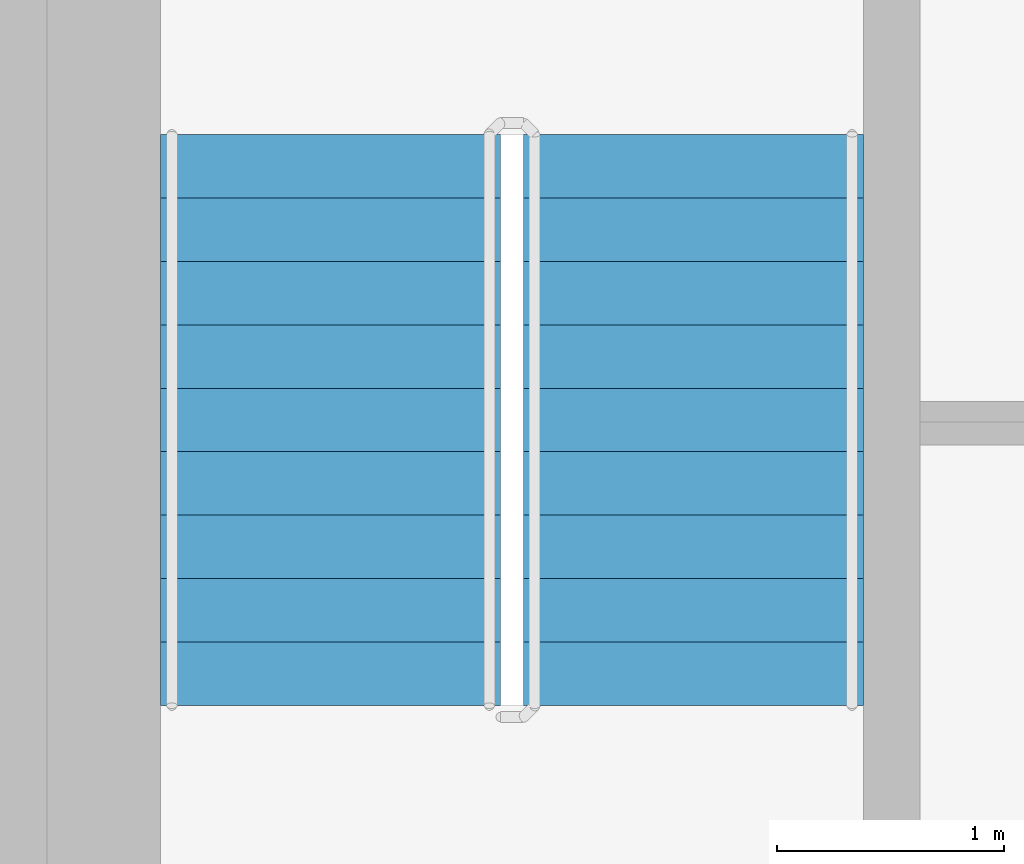
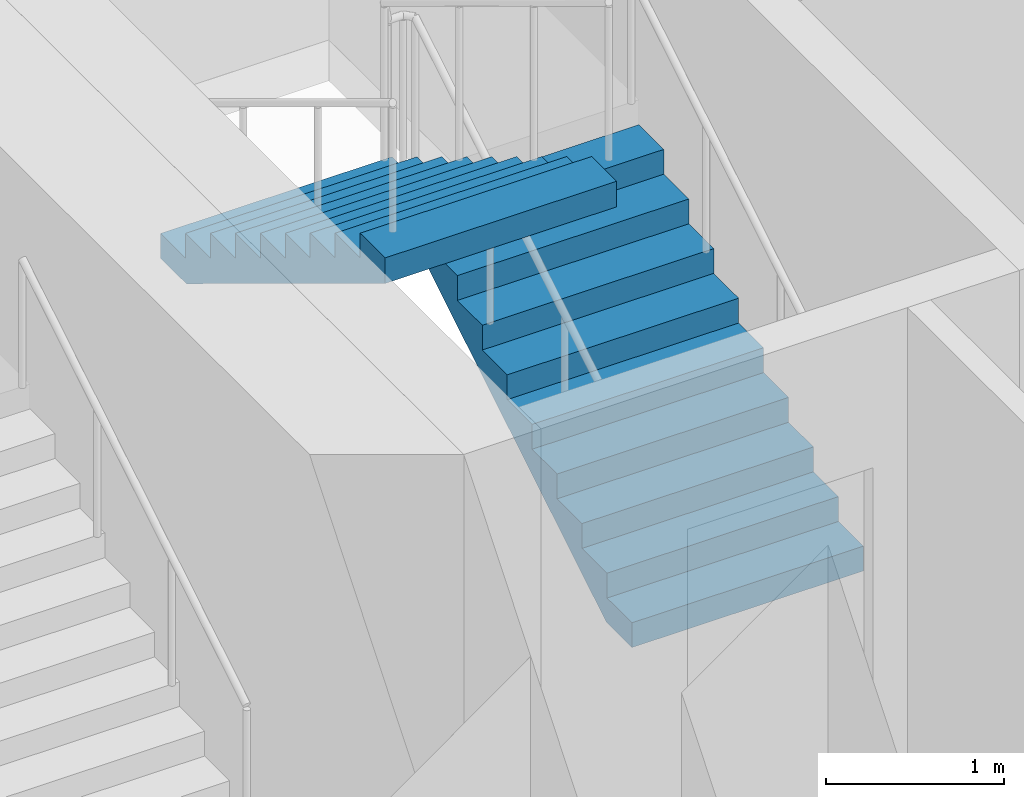
# One storey, part 12 of 19: 2 stair flights, 1 element without a shape of its own.
"""IFC4 building model written with IfcOpenShell, lengths in metres."""

from ifc_helpers import new_model, si_unit, direction, frame, origin, place, context, subcontext, project, spatial, triangles, source, transform, mapped, material, type_object, element, aggregate, save


model = new_model("IFC4")

# Units and contexts
model_context = context("Model", 3, precision=1e-05, world=origin(), true_north=direction((0.0, 1.0)))
body_context = subcontext(model_context, "Body", "Model", "MODEL_VIEW")
ifc_project = project(units=[si_unit("LENGTHUNIT", "METRE"), si_unit("AREAUNIT", "SQUARE_METRE"), si_unit("VOLUMEUNIT", "CUBIC_METRE"), si_unit("PLANEANGLEUNIT", "RADIAN"), si_unit("MASSUNIT", "GRAM", prefix="KILO")], contexts=[model_context])

# Site, building, storey
site_placement = place(None, origin())
site = spatial("IfcSite", under=ifc_project, at=site_placement, CompositionType="ELEMENT")
building_placement = place(site_placement, origin())
building = spatial("IfcBuilding", under=site, at=building_placement, Name="Kilnfold Tower and Market Hall", CompositionType="ELEMENT")
storey_placement = place(building_placement, frame((0.0, 0.0, 252.60009765625)))
storey = spatial("IfcBuildingStorey", under=building, at=storey_placement, Name="L61", CompositionType="ELEMENT", Elevation=252.60009765625)

# Stair, stair flights
ifc_material_1 = material(Name="Concrete C40/50", Category="concrete")
stair_type = type_object("IfcStairType", Name="CORE STAIR 1500", PredefinedType="HALF_TURN_STAIR", material=ifc_material_1)
stair_placement = place(storey_placement, origin())
stair = element("IfcStair", 1, at=stair_placement, inside=storey, type_object=stair_type, Name="L61 ST5", PredefinedType="HALF_TURN_STAIR")
ifc_material_2 = material(Name="Concrete C40/50", Category="concrete")
stair_flight_type = type_object("IfcStairFlightType", Name="CORE STAIR FLIGHT 1500", PredefinedType="STRAIGHT", material=ifc_material_2)
shared_shape = source(origin(), body_context, "Body", "Tessellation", [
    triangles([(0.0, 0.75, 0.0), (0.0, 0.65625, 0.0), (0.0, 0.5625, 0.0), (0.0, 0.46875, 0.0), (0.0, 0.375, 0.0), (0.0, 0.28125, 0.0), (0.0, 0.1875, 0.0), (0.0, 0.09375, 0.0), (0.0, 0.0, 0.0), (0.0, -0.09375, 0.0), (0.0, -0.1875, 0.0), (0.0, -0.28125, 0.0), (0.0, -0.375, 0.0), (0.0, -0.46875, 0.0), (0.0, -0.5625, 0.0), (0.0, -0.65625, 0.0), (0.0, -0.75, 0.0), (0.0, 0.75, 0.169921875), (0.0, 0.65625, 0.169921875), (0.0, 0.5625, 0.169921875), (0.0, 0.46875, 0.169921875), (0.0, 0.375, 0.169921875), (0.0, 0.28125, 0.169921875), (0.0, 0.1875, 0.169921875), (0.0, 0.09375, 0.169921875), (0.0, 0.0, 0.169921875), (0.0, -0.09375, 0.169921875), (0.0, -0.1875, 0.169921875), (0.0, -0.28125, 0.169921875), (0.0, -0.375, 0.169921875), (0.0, -0.46875, 0.169921875), (0.0, -0.5625, 0.169921875), (0.0, -0.65625, 0.169921875), (0.0, -0.75, 0.169921875), (0.280029296875, 0.75, 0.169921875), (0.280029296875, 0.65625, 0.169921875), (0.280029296875, 0.5625, 0.169921875), (0.280029296875, 0.46875, 0.169921875), (0.280029296875, 0.375, 0.169921875), (0.280029296875, 0.28125, 0.169921875), (0.280029296875, 0.1875, 0.169921875), (0.280029296875, 0.09375, 0.169921875), (0.280029296875, 0.0, 0.169921875), (0.280029296875, -0.09375, 0.169921875), (0.280029296875, -0.1875, 0.169921875), (0.280029296875, -0.28125, 0.169921875), (0.280029296875, -0.375, 0.169921875), (0.280029296875, -0.46875, 0.169921875), (0.280029296875, -0.5625, 0.169921875), (0.280029296875, -0.65625, 0.169921875), (0.280029296875, -0.75, 0.169921875), (0.280029296875, 0.75, 0.340087890625), (0.280029296875, 0.65625, 0.340087890625), (0.280029296875, 0.5625, 0.340087890625), (0.280029296875, 0.46875, 0.340087890625), (0.280029296875, 0.375, 0.340087890625), (0.280029296875, 0.28125, 0.340087890625), (0.280029296875, 0.1875, 0.340087890625), (0.280029296875, 0.09375, 0.340087890625), (0.280029296875, 0.0, 0.340087890625), (0.280029296875, -0.09375, 0.340087890625), (0.280029296875, -0.1875, 0.340087890625), (0.280029296875, -0.28125, 0.340087890625), (0.280029296875, -0.375, 0.340087890625), (0.280029296875, -0.46875, 0.340087890625), (0.280029296875, -0.5625, 0.340087890625), (0.280029296875, -0.65625, 0.340087890625), (0.280029296875, -0.75, 0.340087890625), (0.56005859375, 0.75, 0.340087890625), (0.56005859375, 0.65625, 0.340087890625), (0.56005859375, 0.5625, 0.340087890625), (0.56005859375, 0.46875, 0.340087890625), (0.56005859375, 0.375, 0.340087890625), (0.56005859375, 0.28125, 0.340087890625), (0.56005859375, 0.1875, 0.340087890625), (0.56005859375, 0.09375, 0.340087890625), (0.56005859375, 0.0, 0.340087890625), (0.56005859375, -0.09375, 0.340087890625), (0.56005859375, -0.1875, 0.340087890625), (0.56005859375, -0.28125, 0.340087890625), (0.56005859375, -0.375, 0.340087890625), (0.56005859375, -0.46875, 0.340087890625), (0.56005859375, -0.5625, 0.340087890625), (0.56005859375, -0.65625, 0.340087890625), (0.56005859375, -0.75, 0.340087890625), (0.56005859375, 0.75, 0.510009765625), (0.56005859375, 0.65625, 0.510009765625), (0.56005859375, 0.5625, 0.510009765625), (0.56005859375, 0.46875, 0.510009765625), (0.56005859375, 0.375, 0.510009765625), (0.56005859375, 0.28125, 0.510009765625), (0.56005859375, 0.1875, 0.510009765625), (0.56005859375, 0.09375, 0.510009765625), (0.56005859375, 0.0, 0.510009765625), (0.56005859375, -0.09375, 0.510009765625), (0.56005859375, -0.1875, 0.510009765625), (0.56005859375, -0.28125, 0.510009765625), (0.56005859375, -0.375, 0.510009765625), (0.56005859375, -0.46875, 0.510009765625), (0.56005859375, -0.5625, 0.510009765625), (0.56005859375, -0.65625, 0.510009765625), (0.56005859375, -0.75, 0.510009765625), (0.840087890625, 0.75, 0.510009765625), (0.840087890625, 0.65625, 0.510009765625), (0.840087890625, 0.5625, 0.510009765625), (0.840087890625, 0.46875, 0.510009765625), (0.840087890625, 0.375, 0.510009765625), (0.840087890625, 0.28125, 0.510009765625), (0.840087890625, 0.1875, 0.510009765625), (0.840087890625, 0.09375, 0.510009765625), (0.840087890625, 0.0, 0.510009765625), (0.840087890625, -0.09375, 0.510009765625), (0.840087890625, -0.1875, 0.510009765625), (0.840087890625, -0.28125, 0.510009765625), (0.840087890625, -0.375, 0.510009765625), (0.840087890625, -0.46875, 0.510009765625), (0.840087890625, -0.5625, 0.510009765625), (0.840087890625, -0.65625, 0.510009765625), (0.840087890625, -0.75, 0.510009765625), (0.840087890625, 0.75, 0.679931640625), (0.840087890625, 0.65625, 0.679931640625), (0.840087890625, 0.5625, 0.679931640625), (0.840087890625, 0.46875, 0.679931640625), (0.840087890625, 0.375, 0.679931640625), (0.840087890625, 0.28125, 0.679931640625), (0.840087890625, 0.1875, 0.679931640625), (0.840087890625, 0.09375, 0.679931640625), (0.840087890625, 0.0, 0.679931640625), (0.840087890625, -0.09375, 0.679931640625), (0.840087890625, -0.1875, 0.679931640625), (0.840087890625, -0.28125, 0.679931640625), (0.840087890625, -0.375, 0.679931640625), (0.840087890625, -0.46875, 0.679931640625), (0.840087890625, -0.5625, 0.679931640625), (0.840087890625, -0.65625, 0.679931640625), (0.840087890625, -0.75, 0.679931640625), (1.1201171875, 0.75, 0.679931640625), (1.1201171875, 0.65625, 0.679931640625), (1.1201171875, 0.5625, 0.679931640625), (1.1201171875, 0.46875, 0.679931640625), (1.1201171875, 0.375, 0.679931640625), (1.1201171875, 0.28125, 0.679931640625), (1.1201171875, 0.1875, 0.679931640625), (1.1201171875, 0.09375, 0.679931640625), (1.1201171875, 0.0, 0.679931640625), (1.1201171875, -0.09375, 0.679931640625), (1.1201171875, -0.1875, 0.679931640625), (1.1201171875, -0.28125, 0.679931640625), (1.1201171875, -0.375, 0.679931640625), (1.1201171875, -0.46875, 0.679931640625), (1.1201171875, -0.5625, 0.679931640625), (1.1201171875, -0.65625, 0.679931640625), (1.1201171875, -0.75, 0.679931640625), (1.1201171875, 0.75, 0.85009765625), (1.1201171875, 0.65625, 0.85009765625), (1.1201171875, 0.5625, 0.85009765625), (1.1201171875, 0.46875, 0.85009765625), (1.1201171875, 0.375, 0.85009765625), (1.1201171875, 0.28125, 0.85009765625), (1.1201171875, 0.1875, 0.85009765625), (1.1201171875, 0.09375, 0.85009765625), (1.1201171875, 0.0, 0.85009765625), (1.1201171875, -0.09375, 0.85009765625), (1.1201171875, -0.1875, 0.85009765625), (1.1201171875, -0.28125, 0.85009765625), (1.1201171875, -0.375, 0.85009765625), (1.1201171875, -0.46875, 0.85009765625), (1.1201171875, -0.5625, 0.85009765625), (1.1201171875, -0.65625, 0.85009765625), (1.1201171875, -0.75, 0.85009765625), (1.39990234375, 0.75, 0.85009765625), (1.39990234375, 0.65625, 0.85009765625), (1.39990234375, 0.5625, 0.85009765625), (1.39990234375, 0.46875, 0.85009765625), (1.39990234375, 0.375, 0.85009765625), (1.39990234375, 0.28125, 0.85009765625), (1.39990234375, 0.1875, 0.85009765625), (1.39990234375, 0.09375, 0.85009765625), (1.39990234375, 0.0, 0.85009765625), (1.39990234375, -0.09375, 0.85009765625), (1.39990234375, -0.1875, 0.85009765625), (1.39990234375, -0.28125, 0.85009765625), (1.39990234375, -0.375, 0.85009765625), (1.39990234375, -0.46875, 0.85009765625), (1.39990234375, -0.5625, 0.85009765625), (1.39990234375, -0.65625, 0.85009765625), (1.39990234375, -0.75, 0.85009765625), (1.39990234375, 0.75, 1.02001953125), (1.39990234375, 0.65625, 1.02001953125), (1.39990234375, 0.5625, 1.02001953125), (1.39990234375, 0.46875, 1.02001953125), (1.39990234375, 0.375, 1.02001953125), (1.39990234375, 0.28125, 1.02001953125), (1.39990234375, 0.1875, 1.02001953125), (1.39990234375, 0.09375, 1.02001953125), (1.39990234375, 0.0, 1.02001953125), (1.39990234375, -0.09375, 1.02001953125), (1.39990234375, -0.1875, 1.02001953125), (1.39990234375, -0.28125, 1.02001953125), (1.39990234375, -0.375, 1.02001953125), (1.39990234375, -0.46875, 1.02001953125), (1.39990234375, -0.5625, 1.02001953125), (1.39990234375, -0.65625, 1.02001953125), (1.39990234375, -0.75, 1.02001953125), (1.679931640625, 0.75, 1.02001953125), (1.679931640625, 0.65625, 1.02001953125), (1.679931640625, 0.5625, 1.02001953125), (1.679931640625, 0.46875, 1.02001953125), (1.679931640625, 0.375, 1.02001953125), (1.679931640625, 0.28125, 1.02001953125), (1.679931640625, 0.1875, 1.02001953125), (1.679931640625, 0.09375, 1.02001953125), (1.679931640625, 0.0, 1.02001953125), (1.679931640625, -0.09375, 1.02001953125), (1.679931640625, -0.1875, 1.02001953125), (1.679931640625, -0.28125, 1.02001953125), (1.679931640625, -0.375, 1.02001953125), (1.679931640625, -0.46875, 1.02001953125), (1.679931640625, -0.5625, 1.02001953125), (1.679931640625, -0.65625, 1.02001953125), (1.679931640625, -0.75, 1.02001953125), (1.679931640625, 0.75, 1.18994140625), (1.679931640625, 0.65625, 1.18994140625), (1.679931640625, 0.5625, 1.18994140625), (1.679931640625, 0.46875, 1.18994140625), (1.679931640625, 0.375, 1.18994140625), (1.679931640625, 0.28125, 1.18994140625), (1.679931640625, 0.1875, 1.18994140625), (1.679931640625, 0.09375, 1.18994140625), (1.679931640625, 0.0, 1.18994140625), (1.679931640625, -0.09375, 1.18994140625), (1.679931640625, -0.1875, 1.18994140625), (1.679931640625, -0.28125, 1.18994140625), (1.679931640625, -0.375, 1.18994140625), (1.679931640625, -0.46875, 1.18994140625), (1.679931640625, -0.5625, 1.18994140625), (1.679931640625, -0.65625, 1.18994140625), (1.679931640625, -0.75, 1.18994140625), (1.9599609375, 0.75, 1.18994140625), (1.9599609375, 0.65625, 1.18994140625), (1.9599609375, 0.5625, 1.18994140625), (1.9599609375, 0.46875, 1.18994140625), (1.9599609375, 0.375, 1.18994140625), (1.9599609375, 0.28125, 1.18994140625), (1.9599609375, 0.1875, 1.18994140625), (1.9599609375, 0.09375, 1.18994140625), (1.9599609375, 0.0, 1.18994140625), (1.9599609375, -0.09375, 1.18994140625), (1.9599609375, -0.1875, 1.18994140625), (1.9599609375, -0.28125, 1.18994140625), (1.9599609375, -0.375, 1.18994140625), (1.9599609375, -0.46875, 1.18994140625), (1.9599609375, -0.5625, 1.18994140625), (1.9599609375, -0.65625, 1.18994140625), (1.9599609375, -0.75, 1.18994140625), (1.9599609375, 0.75, 1.360107421875), (1.9599609375, 0.65625, 1.360107421875), (1.9599609375, 0.5625, 1.360107421875), (1.9599609375, 0.46875, 1.360107421875), (1.9599609375, 0.375, 1.360107421875), (1.9599609375, 0.28125, 1.360107421875), (1.9599609375, 0.1875, 1.360107421875), (1.9599609375, 0.09375, 1.360107421875), (1.9599609375, 0.0, 1.360107421875), (1.9599609375, -0.09375, 1.360107421875), (1.9599609375, -0.1875, 1.360107421875), (1.9599609375, -0.28125, 1.360107421875), (1.9599609375, -0.375, 1.360107421875), (1.9599609375, -0.46875, 1.360107421875), (1.9599609375, -0.5625, 1.360107421875), (1.9599609375, -0.65625, 1.360107421875), (1.9599609375, -0.75, 1.360107421875), (2.239990234375, 0.75, 1.360107421875), (2.239990234375, 0.65625, 1.360107421875), (2.239990234375, 0.5625, 1.360107421875), (2.239990234375, 0.46875, 1.360107421875), (2.239990234375, 0.375, 1.360107421875), (2.239990234375, 0.28125, 1.360107421875), (2.239990234375, 0.1875, 1.360107421875), (2.239990234375, 0.09375, 1.360107421875), (2.239990234375, 0.0, 1.360107421875), (2.239990234375, -0.09375, 1.360107421875), (2.239990234375, -0.1875, 1.360107421875), (2.239990234375, -0.28125, 1.360107421875), (2.239990234375, -0.375, 1.360107421875), (2.239990234375, -0.46875, 1.360107421875), (2.239990234375, -0.5625, 1.360107421875), (2.239990234375, -0.65625, 1.360107421875), (2.239990234375, -0.75, 1.360107421875), (2.239990234375, 0.75, 1.530029296875), (2.239990234375, 0.65625, 1.530029296875), (2.239990234375, 0.5625, 1.530029296875), (2.239990234375, 0.46875, 1.530029296875), (2.239990234375, 0.375, 1.530029296875), (2.239990234375, 0.28125, 1.530029296875), (2.239990234375, 0.1875, 1.530029296875), (2.239990234375, 0.09375, 1.530029296875), (2.239990234375, 0.0, 1.530029296875), (2.239990234375, -0.09375, 1.530029296875), (2.239990234375, -0.1875, 1.530029296875), (2.239990234375, -0.28125, 1.530029296875), (2.239990234375, -0.375, 1.530029296875), (2.239990234375, -0.46875, 1.530029296875), (2.239990234375, -0.5625, 1.530029296875), (2.239990234375, -0.65625, 1.530029296875), (2.239990234375, -0.75, 1.530029296875), (2.52001953125, 0.75, 1.530029296875), (2.52001953125, 0.65625, 1.530029296875), (2.52001953125, 0.5625, 1.530029296875), (2.52001953125, 0.46875, 1.530029296875), (2.52001953125, 0.375, 1.530029296875), (2.52001953125, 0.28125, 1.530029296875), (2.52001953125, 0.1875, 1.530029296875), (2.52001953125, 0.09375, 1.530029296875), (2.52001953125, 0.0, 1.530029296875), (2.52001953125, -0.09375, 1.530029296875), (2.52001953125, -0.1875, 1.530029296875), (2.52001953125, -0.28125, 1.530029296875), (2.52001953125, -0.375, 1.530029296875), (2.52001953125, -0.46875, 1.530029296875), (2.52001953125, -0.5625, 1.530029296875), (2.52001953125, -0.65625, 1.530029296875), (2.52001953125, -0.75, 1.530029296875), (2.52001953125, 0.75, 1.354736328125), (2.52001953125, 0.65625, 1.354736328125), (2.52001953125, 0.5625, 1.354736328125), (2.52001953125, 0.46875, 1.354736328125), (2.52001953125, 0.375, 1.354736328125), (2.52001953125, 0.28125, 1.354736328125), (2.52001953125, 0.1875, 1.354736328125), (2.52001953125, 0.09375, 1.354736328125), (2.52001953125, 0.0, 1.354736328125), (2.52001953125, -0.09375, 1.354736328125), (2.52001953125, -0.1875, 1.354736328125), (2.52001953125, -0.28125, 1.354736328125), (2.52001953125, -0.375, 1.354736328125), (2.52001953125, -0.46875, 1.354736328125), (2.52001953125, -0.5625, 1.354736328125), (2.52001953125, -0.65625, 1.354736328125), (2.52001953125, -0.75, 1.354736328125), (0.288818359375, 0.75, 0.0), (0.288818359375, 0.65625, 0.0), (0.288818359375, 0.5625, 0.0), (0.288818359375, 0.46875, 0.0), (0.288818359375, 0.375, 0.0), (0.288818359375, 0.28125, 0.0), (0.288818359375, 0.1875, 0.0), (0.288818359375, 0.09375, 0.0), (0.288818359375, 0.0, 0.0), (0.288818359375, -0.09375, 0.0), (0.288818359375, -0.1875, 0.0), (0.288818359375, -0.28125, 0.0), (0.288818359375, -0.375, 0.0), (0.288818359375, -0.46875, 0.0), (0.288818359375, -0.5625, 0.0), (0.288818359375, -0.65625, 0.0), (0.288818359375, -0.75, 0.0)], [[1, 324, 341], [17, 357, 340], [324, 290, 307], [340, 323, 306], [324, 273, 290], [340, 306, 289], [324, 256, 273], [340, 289, 272], [324, 239, 256], [340, 272, 255], [239, 205, 222], [255, 238, 221], [324, 205, 239], [340, 255, 221], [205, 171, 188], [221, 204, 187], [324, 171, 205], [340, 221, 187], [171, 137, 154], [187, 170, 153], [324, 137, 171], [340, 187, 153], [137, 103, 120], [153, 136, 119], [324, 103, 137], [340, 153, 119], [103, 69, 86], [119, 102, 85], [324, 69, 103], [340, 119, 85], [69, 35, 52], [85, 68, 51], [324, 35, 69], [340, 85, 51], [1, 35, 324], [17, 340, 51], [35, 1, 18], [51, 34, 17], [1, 19, 18], [1, 2, 19], [2, 20, 19], [2, 3, 20], [3, 21, 20], [3, 4, 21], [4, 22, 21], [4, 5, 22], [5, 23, 22], [5, 6, 23], [6, 24, 23], [6, 7, 24], [7, 25, 24], [7, 8, 25], [8, 26, 25], [8, 9, 26], [9, 27, 26], [9, 10, 27], [10, 28, 27], [10, 11, 28], [11, 29, 28], [11, 12, 29], [12, 30, 29], [12, 13, 30], [13, 31, 30], [13, 14, 31], [14, 32, 31], [14, 15, 32], [15, 33, 32], [15, 16, 33], [16, 34, 33], [16, 17, 34], [18, 36, 35], [18, 19, 36], [19, 37, 36], [19, 20, 37], [20, 38, 37], [20, 21, 38], [21, 39, 38], [21, 22, 39], [22, 40, 39], [22, 23, 40], [23, 41, 40], [23, 24, 41], [24, 42, 41], [24, 25, 42], [25, 43, 42], [25, 26, 43], [26, 44, 43], [26, 27, 44], [27, 45, 44], [27, 28, 45], [28, 46, 45], [28, 29, 46], [29, 47, 46], [29, 30, 47], [30, 48, 47], [30, 31, 48], [31, 49, 48], [31, 32, 49], [32, 50, 49], [32, 33, 50], [33, 51, 50], [33, 34, 51], [35, 53, 52], [35, 36, 53], [36, 54, 53], [36, 37, 54], [37, 55, 54], [37, 38, 55], [38, 56, 55], [38, 39, 56], [39, 57, 56], [39, 40, 57], [40, 58, 57], [40, 41, 58], [41, 59, 58], [41, 42, 59], [42, 60, 59], [42, 43, 60], [43, 61, 60], [43, 44, 61], [44, 62, 61], [44, 45, 62], [45, 63, 62], [45, 46, 63], [46, 64, 63], [46, 47, 64], [47, 65, 64], [47, 48, 65], [48, 66, 65], [48, 49, 66], [49, 67, 66], [49, 50, 67], [50, 68, 67], [50, 51, 68], [52, 70, 69], [52, 53, 70], [53, 71, 70], [53, 54, 71], [54, 72, 71], [54, 55, 72], [55, 73, 72], [55, 56, 73], [56, 74, 73], [56, 57, 74], [57, 75, 74], [57, 58, 75], [58, 76, 75], [58, 59, 76], [59, 77, 76], [59, 60, 77], [60, 78, 77], [60, 61, 78], [61, 79, 78], [61, 62, 79], [62, 80, 79], [62, 63, 80], [63, 81, 80], [63, 64, 81], [64, 82, 81], [64, 65, 82], [65, 83, 82], [65, 66, 83], [66, 84, 83], [66, 67, 84], [67, 85, 84], [67, 68, 85], [69, 87, 86], [69, 70, 87], [70, 88, 87], [70, 71, 88], [71, 89, 88], [71, 72, 89], [72, 90, 89], [72, 73, 90], [73, 91, 90], [73, 74, 91], [74, 92, 91], [74, 75, 92], [75, 93, 92], [75, 76, 93], [76, 94, 93], [76, 77, 94], [77, 95, 94], [77, 78, 95], [78, 96, 95], [78, 79, 96], [79, 97, 96], [79, 80, 97], [80, 98, 97], [80, 81, 98], [81, 99, 98], [81, 82, 99], [82, 100, 99], [82, 83, 100], [83, 101, 100], [83, 84, 101], [84, 102, 101], [84, 85, 102], [86, 104, 103], [86, 87, 104], [87, 105, 104], [87, 88, 105], [88, 106, 105], [88, 89, 106], [89, 107, 106], [89, 90, 107], [90, 108, 107], [90, 91, 108], [91, 109, 108], [91, 92, 109], [92, 110, 109], [92, 93, 110], [93, 111, 110], [93, 94, 111], [94, 112, 111], [94, 95, 112], [95, 113, 112], [95, 96, 113], [96, 114, 113], [96, 97, 114], [97, 115, 114], [97, 98, 115], [98, 116, 115], [98, 99, 116], [99, 117, 116], [99, 100, 117], [100, 118, 117], [100, 101, 118], [101, 119, 118], [101, 102, 119], [103, 121, 120], [103, 104, 121], [104, 122, 121], [104, 105, 122], [105, 123, 122], [105, 106, 123], [106, 124, 123], [106, 107, 124], [107, 125, 124], [107, 108, 125], [108, 126, 125], [108, 109, 126], [109, 127, 126], [109, 110, 127], [110, 128, 127], [110, 111, 128], [111, 129, 128], [111, 112, 129], [112, 130, 129], [112, 113, 130], [113, 131, 130], [113, 114, 131], [114, 132, 131], [114, 115, 132], [115, 133, 132], [115, 116, 133], [116, 134, 133], [116, 117, 134], [117, 135, 134], [117, 118, 135], [118, 136, 135], [118, 119, 136], [120, 138, 137], [120, 121, 138], [121, 139, 138], [121, 122, 139], [122, 140, 139], [122, 123, 140], [123, 141, 140], [123, 124, 141], [124, 142, 141], [124, 125, 142], [125, 143, 142], [125, 126, 143], [126, 144, 143], [126, 127, 144], [127, 145, 144], [127, 128, 145], [128, 146, 145], [128, 129, 146], [129, 147, 146], [129, 130, 147], [130, 148, 147], [130, 131, 148], [131, 149, 148], [131, 132, 149], [132, 150, 149], [132, 133, 150], [133, 151, 150], [133, 134, 151], [134, 152, 151], [134, 135, 152], [135, 153, 152], [135, 136, 153], [137, 155, 154], [137, 138, 155], [138, 156, 155], [138, 139, 156], [139, 157, 156], [139, 140, 157], [140, 158, 157], [140, 141, 158], [141, 159, 158], [141, 142, 159], [142, 160, 159], [142, 143, 160], [143, 161, 160], [143, 144, 161], [144, 162, 161], [144, 145, 162], [145, 163, 162], [145, 146, 163], [146, 164, 163], [146, 147, 164], [147, 165, 164], [147, 148, 165], [148, 166, 165], [148, 149, 166], [149, 167, 166], [149, 150, 167], [150, 168, 167], [150, 151, 168], [151, 169, 168], [151, 152, 169], [152, 170, 169], [152, 153, 170], [154, 172, 171], [154, 155, 172], [155, 173, 172], [155, 156, 173], [156, 174, 173], [156, 157, 174], [157, 175, 174], [157, 158, 175], [158, 176, 175], [158, 159, 176], [159, 177, 176], [159, 160, 177], [160, 178, 177], [160, 161, 178], [161, 179, 178], [161, 162, 179], [162, 180, 179], [162, 163, 180], [163, 181, 180], [163, 164, 181], [164, 182, 181], [164, 165, 182], [165, 183, 182], [165, 166, 183], [166, 184, 183], [166, 167, 184], [167, 185, 184], [167, 168, 185], [168, 186, 185], [168, 169, 186], [169, 187, 186], [169, 170, 187], [171, 189, 188], [171, 172, 189], [172, 190, 189], [172, 173, 190], [173, 191, 190], [173, 174, 191], [174, 192, 191], [174, 175, 192], [175, 193, 192], [175, 176, 193], [176, 194, 193], [176, 177, 194], [177, 195, 194], [177, 178, 195], [178, 196, 195], [178, 179, 196], [179, 197, 196], [179, 180, 197], [180, 198, 197], [180, 181, 198], [181, 199, 198], [181, 182, 199], [182, 200, 199], [182, 183, 200], [183, 201, 200], [183, 184, 201], [184, 202, 201], [184, 185, 202], [185, 203, 202], [185, 186, 203], [186, 204, 203], [186, 187, 204], [188, 206, 205], [188, 189, 206], [189, 207, 206], [189, 190, 207], [190, 208, 207], [190, 191, 208], [191, 209, 208], [191, 192, 209], [192, 210, 209], [192, 193, 210], [193, 211, 210], [193, 194, 211], [194, 212, 211], [194, 195, 212], [195, 213, 212], [195, 196, 213], [196, 214, 213], [196, 197, 214], [197, 215, 214], [197, 198, 215], [198, 216, 215], [198, 199, 216], [199, 217, 216], [199, 200, 217], [200, 218, 217], [200, 201, 218], [201, 219, 218], [201, 202, 219], [202, 220, 219], [202, 203, 220], [203, 221, 220], [203, 204, 221], [205, 223, 222], [205, 206, 223], [206, 224, 223], [206, 207, 224], [207, 225, 224], [207, 208, 225], [208, 226, 225], [208, 209, 226], [209, 227, 226], [209, 210, 227], [210, 228, 227], [210, 211, 228], [211, 229, 228], [211, 212, 229], [212, 230, 229], [212, 213, 230], [213, 231, 230], [213, 214, 231], [214, 232, 231], [214, 215, 232], [215, 233, 232], [215, 216, 233], [216, 234, 233], [216, 217, 234], [217, 235, 234], [217, 218, 235], [218, 236, 235], [218, 219, 236], [219, 237, 236], [219, 220, 237], [220, 238, 237], [220, 221, 238], [222, 240, 239], [222, 223, 240], [223, 241, 240], [223, 224, 241], [224, 242, 241], [224, 225, 242], [225, 243, 242], [225, 226, 243], [226, 244, 243], [226, 227, 244], [227, 245, 244], [227, 228, 245], [228, 246, 245], [228, 229, 246], [229, 247, 246], [229, 230, 247], [230, 248, 247], [230, 231, 248], [231, 249, 248], [231, 232, 249], [232, 250, 249], [232, 233, 250], [233, 251, 250], [233, 234, 251], [234, 252, 251], [234, 235, 252], [235, 253, 252], [235, 236, 253], [236, 254, 253], [236, 237, 254], [237, 255, 254], [237, 238, 255], [239, 257, 256], [239, 240, 257], [240, 258, 257], [240, 241, 258], [241, 259, 258], [241, 242, 259], [242, 260, 259], [242, 243, 260], [243, 261, 260], [243, 244, 261], [244, 262, 261], [244, 245, 262], [245, 263, 262], [245, 246, 263], [246, 264, 263], [246, 247, 264], [247, 265, 264], [247, 248, 265], [248, 266, 265], [248, 249, 266], [249, 267, 266], [249, 250, 267], [250, 268, 267], [250, 251, 268], [251, 269, 268], [251, 252, 269], [252, 270, 269], [252, 253, 270], [253, 271, 270], [253, 254, 271], [254, 272, 271], [254, 255, 272], [256, 274, 273], [256, 257, 274], [257, 275, 274], [257, 258, 275], [258, 276, 275], [258, 259, 276], [259, 277, 276], [259, 260, 277], [260, 278, 277], [260, 261, 278], [261, 279, 278], [261, 262, 279], [262, 280, 279], [262, 263, 280], [263, 281, 280], [263, 264, 281], [264, 282, 281], [264, 265, 282], [265, 283, 282], [265, 266, 283], [266, 284, 283], [266, 267, 284], [267, 285, 284], [267, 268, 285], [268, 286, 285], [268, 269, 286], [269, 287, 286], [269, 270, 287], [270, 288, 287], [270, 271, 288], [271, 289, 288], [271, 272, 289], [273, 291, 290], [273, 274, 291], [274, 292, 291], [274, 275, 292], [275, 293, 292], [275, 276, 293], [276, 294, 293], [276, 277, 294], [277, 295, 294], [277, 278, 295], [278, 296, 295], [278, 279, 296], [279, 297, 296], [279, 280, 297], [280, 298, 297], [280, 281, 298], [281, 299, 298], [281, 282, 299], [282, 300, 299], [282, 283, 300], [283, 301, 300], [283, 284, 301], [284, 302, 301], [284, 285, 302], [285, 303, 302], [285, 286, 303], [286, 304, 303], [286, 287, 304], [287, 305, 304], [287, 288, 305], [288, 306, 305], [288, 289, 306], [290, 308, 307], [290, 291, 308], [291, 309, 308], [291, 292, 309], [292, 310, 309], [292, 293, 310], [293, 311, 310], [293, 294, 311], [294, 312, 311], [294, 295, 312], [295, 313, 312], [295, 296, 313], [296, 314, 313], [296, 297, 314], [297, 315, 314], [297, 298, 315], [298, 316, 315], [298, 299, 316], [299, 317, 316], [299, 300, 317], [300, 318, 317], [300, 301, 318], [301, 319, 318], [301, 302, 319], [302, 320, 319], [302, 303, 320], [303, 321, 320], [303, 304, 321], [304, 322, 321], [304, 305, 322], [305, 323, 322], [305, 306, 323], [307, 325, 324], [307, 308, 325], [308, 326, 325], [308, 309, 326], [309, 327, 326], [309, 310, 327], [310, 328, 327], [310, 311, 328], [311, 329, 328], [311, 312, 329], [312, 330, 329], [312, 313, 330], [313, 331, 330], [313, 314, 331], [314, 332, 331], [314, 315, 332], [315, 333, 332], [315, 316, 333], [316, 334, 333], [316, 317, 334], [317, 335, 334], [317, 318, 335], [318, 336, 335], [318, 319, 336], [319, 337, 336], [319, 320, 337], [320, 338, 337], [320, 321, 338], [321, 339, 338], [321, 322, 339], [322, 340, 339], [322, 323, 340], [324, 342, 341], [324, 325, 342], [325, 343, 342], [325, 326, 343], [326, 344, 343], [326, 327, 344], [327, 345, 344], [327, 328, 345], [328, 346, 345], [328, 329, 346], [329, 347, 346], [329, 330, 347], [330, 348, 347], [330, 331, 348], [331, 349, 348], [331, 332, 349], [332, 350, 349], [332, 333, 350], [333, 351, 350], [333, 334, 351], [334, 352, 351], [334, 335, 352], [335, 353, 352], [335, 336, 353], [336, 354, 353], [336, 337, 354], [337, 355, 354], [337, 338, 355], [338, 356, 355], [338, 339, 356], [339, 357, 356], [339, 340, 357], [341, 2, 1], [341, 342, 2], [342, 3, 2], [342, 343, 3], [343, 4, 3], [343, 344, 4], [344, 5, 4], [344, 345, 5], [345, 6, 5], [345, 346, 6], [346, 7, 6], [346, 347, 7], [347, 8, 7], [347, 348, 8], [348, 9, 8], [348, 349, 9], [349, 10, 9], [349, 350, 10], [350, 11, 10], [350, 351, 11], [351, 12, 11], [351, 352, 12], [352, 13, 12], [352, 353, 13], [353, 14, 13], [353, 354, 14], [354, 15, 14], [354, 355, 15], [355, 16, 15], [355, 356, 16], [356, 17, 16], [356, 357, 17]], closed=True),
])
stair_flight_1_placement = place(storey_placement, frame((20.699951171875, 11.5, 0.0), z_axis=(0.0, 0.0, 1.0), x_axis=(0.0, 1.0, 0.0)))
stair_flight_1 = element("IfcStairFlight", 2, at=stair_flight_1_placement, type_object=stair_flight_type, Name="ST5 flight 1", NumberOfRisers=10, NumberOfTreads=9, PredefinedType="STRAIGHT", RiserHeight=0.17, TreadLength=0.28, context=body_context, shape_type="MappedRepresentation", body=[
    mapped(shared_shape, transform((0.0, 0.0, 0.0))),
])
stair_flight_2_placement = place(storey_placement, frame((19.10009765625, 14.02001953125, 1.699951171875), z_axis=(0.0, 0.0, 1.0), x_axis=(0.0, -1.0, 0.0)))
stair_flight_2 = element("IfcStairFlight", 3, at=stair_flight_2_placement, type_object=stair_flight_type, Name="ST5 flight 2", NumberOfRisers=10, NumberOfTreads=9, PredefinedType="STRAIGHT", RiserHeight=0.17, TreadLength=0.28, context=body_context, shape_type="MappedRepresentation", body=[
    mapped(shared_shape, transform((0.0, 0.0, 0.0))),
])
aggregate(stair, [stair_flight_1, stair_flight_2])

save(model, "model.ifc")
